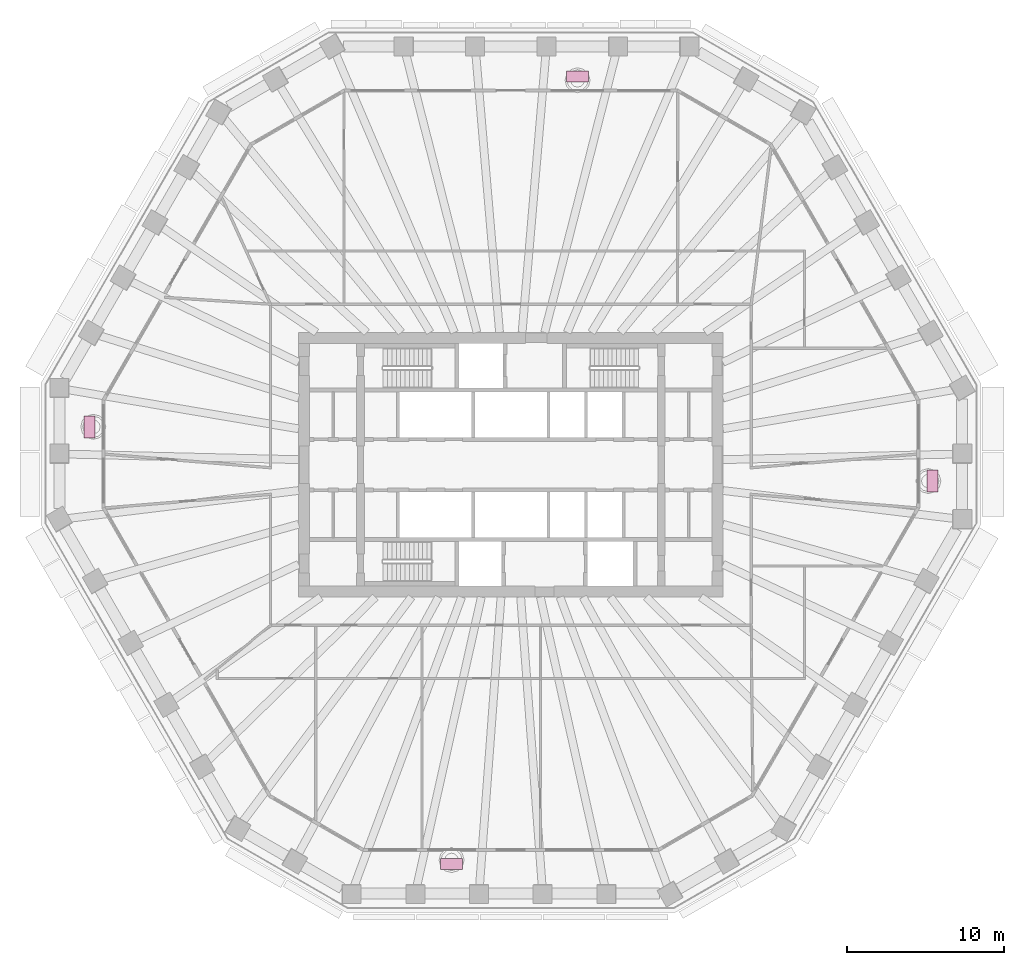
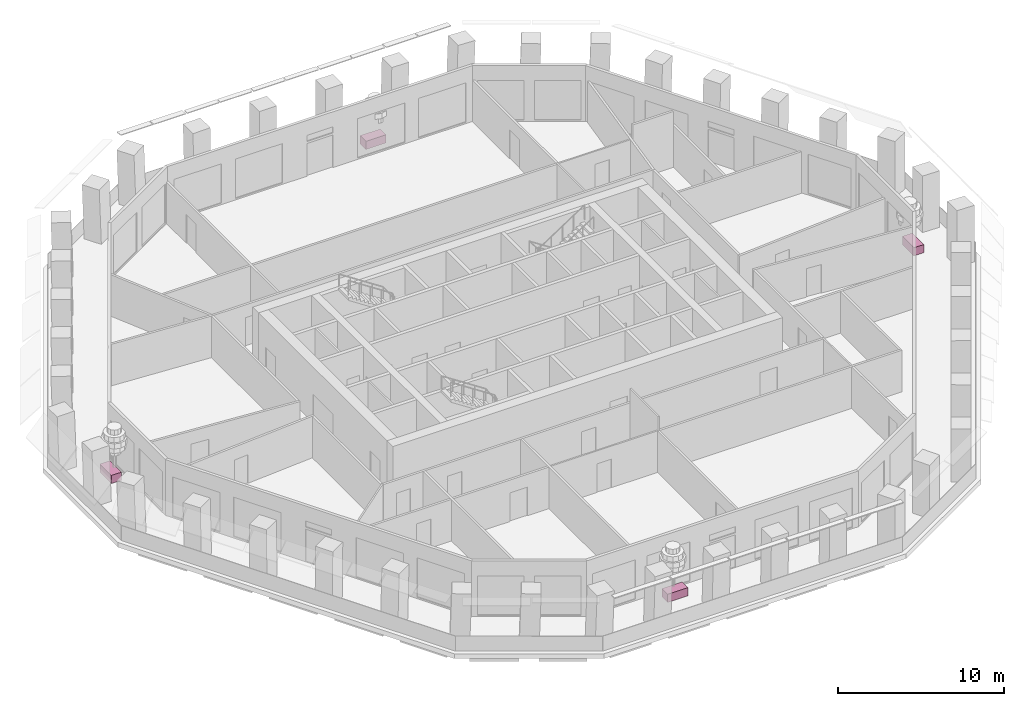
# One storey, part 12 of 13: 4 furniture elements.
"""IFC4 building model written with IfcOpenShell, lengths in metres."""

from ifc_helpers import new_model, si_unit, direction, frame, origin, origin_2d, place, context, subcontext, project, spatial, rectangle, extrude, material, type_object, element, save


model = new_model("IFC4")

# Units and contexts
model_context = context("Model", 3, precision=1e-05, world=origin(), true_north=direction((0.0, 1.0)))
body_context = subcontext(model_context, "Body", "Model", "MODEL_VIEW")
ifc_project = project(units=[si_unit("LENGTHUNIT", "METRE"), si_unit("AREAUNIT", "SQUARE_METRE"), si_unit("VOLUMEUNIT", "CUBIC_METRE"), si_unit("PLANEANGLEUNIT", "RADIAN"), si_unit("MASSUNIT", "GRAM", prefix="KILO")], contexts=[model_context])

# Site, building, storey
site_placement = place(None, origin())
site = spatial("IfcSite", under=ifc_project, at=site_placement, CompositionType="ELEMENT")
building_placement = place(site_placement, origin())
building = spatial("IfcBuilding", under=site, at=building_placement, Name="Frailejon Research Tower", CompositionType="ELEMENT")
storey_placement = place(building_placement, frame((0.0, 0.0, 167.199951171875)))
storey = spatial("IfcBuildingStorey", under=building, at=storey_placement, Name="L36", CompositionType="ELEMENT", Elevation=167.199951171875)

# Furniture
ifc_material = material(Name="Precast concrete C30/37 planter, terracotta", Category="masonry")
furniture_type = type_object("IfcFurnitureType", Name="Loggia planter 1400x700", AssemblyPlace="NOTDEFINED", PredefinedType="USERDEFINED", material=ifc_material)
for number, where, z_axis, x_axis, name in (
    (1, (26.912109375, -1.040771484375, 0.0), (0.0, 0.0, 1.0), (0.0, 1.0, 0.0), "Planter L36"),
    (2, (4.261962890625, 24.800048828125, 0.0), (0.0, 0.0, 1.0), (-1.0, 0.0, 0.0), "Planter L36"),
    (3, (-26.912109375, 2.42333984375, 0.0), (0.0, 0.0, 1.0), (0.0, -1.0, 0.0), "Planter L36"),
    (4, (-3.782958984375, -25.491455078125, 0.0), (0.0, 0.0, 1.0), (1.0, 0.0, 0.0), "Planter L36"),
):
    element("IfcFurniture", number, at=place(storey_placement, frame(where, z_axis=z_axis, x_axis=x_axis)), inside=storey, type_object=furniture_type, Name=name, ObjectType="PLANTER", PredefinedType="USERDEFINED", context=body_context, shape_type="SweptSolid", body=[
        extrude(rectangle(XDim=1.39990234375, YDim=0.699951171875, at=origin_2d()), origin(), (0.0, 0.0, 1.0), 0.60009765625),
    ])

save(model, "model.ifc")
